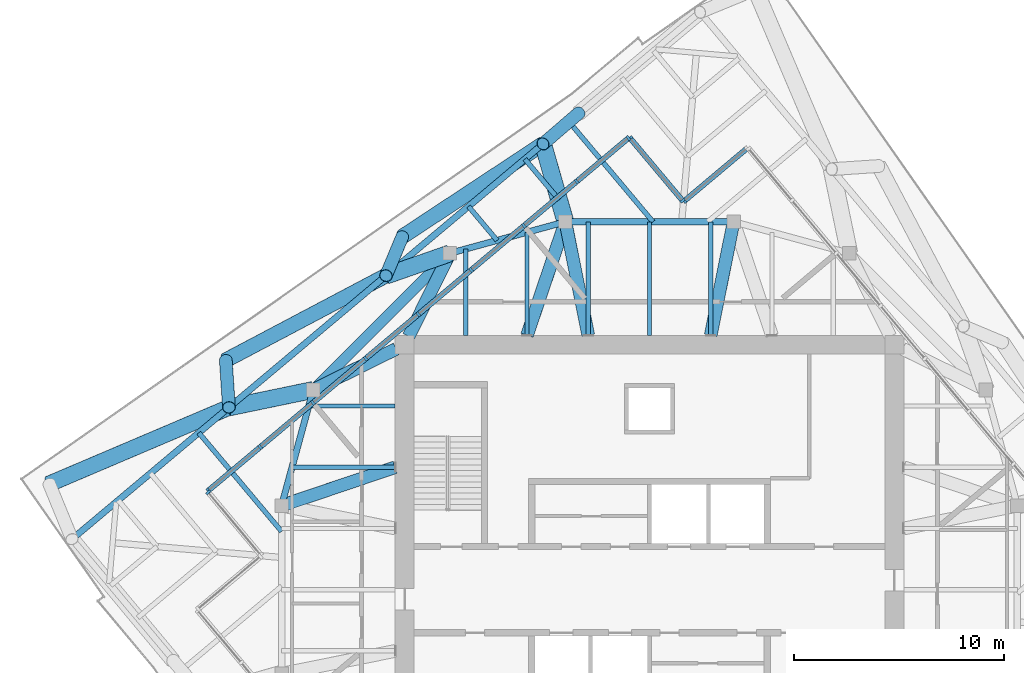
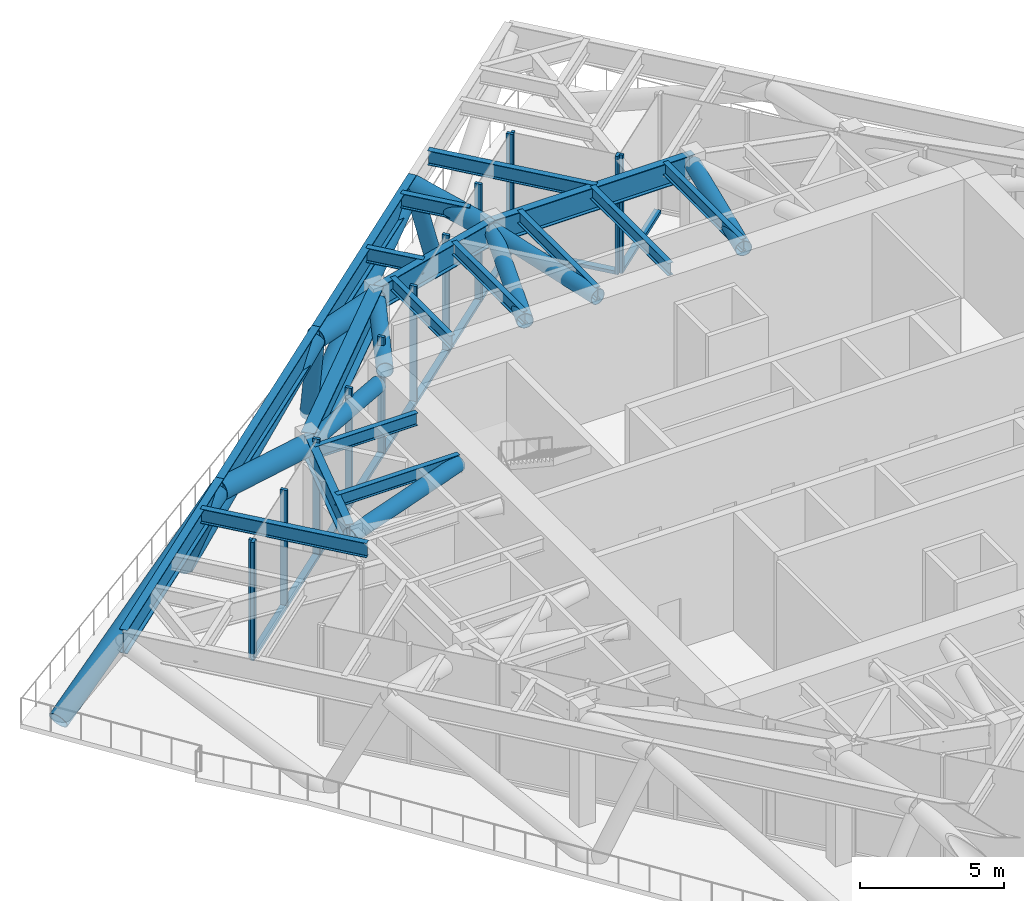
# One storey, part 4 of 15: 38 members, 18 beams, 4 elements without a shape of their own.
"""IFC4 building model written with IfcOpenShell, lengths in metres."""

from ifc_helpers import new_model, si_unit, direction, frame, origin, origin_2d, place, context, subcontext, project, spatial, rectangle, hollow_circle, i_section, extrude, material, material_profile, profile_set, type_object, element, aggregate, save


model = new_model("IFC4")

# Units and contexts
model_context = context("Model", 3, precision=1e-05, world=origin(), true_north=direction((0.0, 1.0)))
body_context = subcontext(model_context, "Body", "Model", "MODEL_VIEW")
ifc_project = project(units=[si_unit("LENGTHUNIT", "METRE"), si_unit("AREAUNIT", "SQUARE_METRE"), si_unit("VOLUMEUNIT", "CUBIC_METRE"), si_unit("PLANEANGLEUNIT", "RADIAN"), si_unit("MASSUNIT", "GRAM", prefix="KILO")], contexts=[model_context])

# Site, building, storey
site_placement = place(None, origin())
site = spatial("IfcSite", under=ifc_project, at=site_placement, CompositionType="ELEMENT")
building_placement = place(site_placement, origin())
building = spatial("IfcBuilding", under=site, at=building_placement, Name="Torsade Residences", CompositionType="ELEMENT")
storey_placement = place(building_placement, frame((0.0, 0.0, 267.60009765625)))
storey = spatial("IfcBuildingStorey", under=building, at=storey_placement, Name="L74", CompositionType="ELEMENT", Elevation=267.60009765625)

# Curtain wall, member
ifc_material_1 = material(Name="Aluminium and glass", Category="aluminium")
curtain_wall_type = type_object("IfcCurtainWallType", Name="TRANSFER LEVEL CURTAIN WALL HIGH ZONE", PredefinedType="NOTDEFINED", material=ifc_material_1)
curtain_wall_1_placement = place(storey_placement, origin())
curtain_wall_1 = element("IfcCurtainWall", 1, at=curtain_wall_1_placement, inside=storey, type_object=curtain_wall_type, Name="Curtain wall L74 face 5", PredefinedType="NOTDEFINED")
ifc_material_2 = material(Name="Aluminium mullion", Category="aluminium")
ifc_material_profile_1 = material_profile(ifc_material_2, rectangle(XDim=0.25, YDim=0.1201171875, at=origin_2d()), Name="HIGH ZONE TRANSFER CURTAIN WALL MULLION 250x120")
ifc_profile_set_1 = profile_set([ifc_material_profile_1], Name="Aluminium mullion")
member_type_1 = type_object("IfcMemberType", Name="HIGH ZONE TRANSFER CURTAIN WALL MULLION 250x120", PredefinedType="MULLION", material=ifc_profile_set_1)
member_1_placement = place(storey_placement, frame((41.66064453125, 48.494384765625, 0.0), z_axis=(0.0, 0.0, 1.0), x_axis=(0.642787640411, -0.766044417338, 0.0)))
member_1 = element("IfcMember", 2, at=member_1_placement, type_object=member_type_1, Name="Mullion 2", PredefinedType="MULLION", context=body_context, shape_type="SweptSolid", body=[
    extrude(rectangle(XDim=0.25, YDim=0.1201171875, at=origin_2d()), origin(), (0.0, 0.0, 1.0), 5.0),
])

# Curtain wall, members
curtain_wall_2_placement = place(storey_placement, origin())
curtain_wall_2 = element("IfcCurtainWall", 3, at=curtain_wall_2_placement, inside=storey, type_object=curtain_wall_type, Name="Curtain wall L74 face 6", PredefinedType="NOTDEFINED")
member_2_placement = place(storey_placement, frame((41.576171875, 48.501708984375, 0.0), z_axis=(0.0, 0.0, 1.0), x_axis=(-0.766044397526, -0.642787664022, 0.0)))
member_2 = element("IfcMember", 4, at=member_2_placement, type_object=member_type_1, Name="Mullion 1", PredefinedType="MULLION", context=body_context, shape_type="SweptSolid", body=[
    extrude(rectangle(XDim=0.25, YDim=0.1201171875, at=origin_2d()), origin(), (0.0, 0.0, 1.0), 5.0),
])
member_3_placement = place(storey_placement, frame((39.08203125, 51.473876953125, 0.0), z_axis=(0.0, 0.0, 1.0), x_axis=(-0.766044397526, -0.642787664022, 0.0)))
member_3 = element("IfcMember", 5, at=member_3_placement, type_object=member_type_1, Name="Mullion 2", PredefinedType="MULLION", context=body_context, shape_type="SweptSolid", body=[
    extrude(rectangle(XDim=0.25, YDim=0.1201171875, at=origin_2d()), origin(), (0.0, 0.0, 1.0), 5.0),
])

curtain_wall_3_placement = place(storey_placement, origin())
curtain_wall_3 = element("IfcCurtainWall", 6, at=curtain_wall_3_placement, inside=storey, type_object=curtain_wall_type, Name="Curtain wall L74 face 7", PredefinedType="NOTDEFINED")
member_4_placement = place(storey_placement, frame((38.99755859375, 51.481201171875, 0.0), z_axis=(0.0, 0.0, 1.0), x_axis=(0.642787631413, -0.766044424888, 0.0)))
member_4 = element("IfcMember", 7, at=member_4_placement, type_object=member_type_1, Name="Mullion 1", PredefinedType="MULLION", context=body_context, shape_type="SweptSolid", body=[
    extrude(rectangle(XDim=0.25, YDim=0.1201171875, at=origin_2d()), origin(), (0.0, 0.0, 1.0), 5.0),
])
member_5_placement = place(storey_placement, frame((36.53466796875, 49.414794921875, 0.0), z_axis=(0.0, 0.0, 1.0), x_axis=(0.642787631413, -0.766044424888, 0.0)))
member_5 = element("IfcMember", 8, at=member_5_placement, type_object=member_type_1, Name="Mullion 2", PredefinedType="MULLION", context=body_context, shape_type="SweptSolid", body=[
    extrude(rectangle(XDim=0.25, YDim=0.1201171875, at=origin_2d()), origin(), (0.0, 0.0, 1.0), 5.0),
])
member_6_placement = place(storey_placement, frame((34.02587890625, 47.3095703125, 0.0), z_axis=(0.0, 0.0, 1.0), x_axis=(0.642787631413, -0.766044424888, 0.0)))
member_6 = element("IfcMember", 9, at=member_6_placement, type_object=member_type_1, Name="Mullion 3", PredefinedType="MULLION", context=body_context, shape_type="SweptSolid", body=[
    extrude(rectangle(XDim=0.25, YDim=0.1201171875, at=origin_2d()), origin(), (0.0, 0.0, 1.0), 5.0),
])
member_7_placement = place(storey_placement, frame((31.51708984375, 45.20458984375, 0.0), z_axis=(0.0, 0.0, 1.0), x_axis=(0.642787631413, -0.766044424888, 0.0)))
member_7 = element("IfcMember", 10, at=member_7_placement, type_object=member_type_1, Name="Mullion 4", PredefinedType="MULLION", context=body_context, shape_type="SweptSolid", body=[
    extrude(rectangle(XDim=0.25, YDim=0.1201171875, at=origin_2d()), origin(), (0.0, 0.0, 1.0), 5.0),
])
member_8_placement = place(storey_placement, frame((29.00830078125, 43.099365234375, 0.0), z_axis=(0.0, 0.0, 1.0), x_axis=(0.642787631413, -0.766044424888, 0.0)))
member_8 = element("IfcMember", 11, at=member_8_placement, type_object=member_type_1, Name="Mullion 5", PredefinedType="MULLION", context=body_context, shape_type="SweptSolid", body=[
    extrude(rectangle(XDim=0.25, YDim=0.1201171875, at=origin_2d()), origin(), (0.0, 0.0, 1.0), 5.0),
])
member_9_placement = place(storey_placement, frame((26.49951171875, 40.994140625, 0.0), z_axis=(0.0, 0.0, 1.0), x_axis=(0.642787631413, -0.766044424888, 0.0)))
member_9 = element("IfcMember", 12, at=member_9_placement, type_object=member_type_1, Name="Mullion 6", PredefinedType="MULLION", context=body_context, shape_type="SweptSolid", body=[
    extrude(rectangle(XDim=0.25, YDim=0.1201171875, at=origin_2d()), origin(), (0.0, 0.0, 1.0), 5.0),
])
member_10_placement = place(storey_placement, frame((23.99072265625, 38.88916015625, 0.0), z_axis=(0.0, 0.0, 1.0), x_axis=(0.642787631413, -0.766044424888, 0.0)))
member_10 = element("IfcMember", 13, at=member_10_placement, type_object=member_type_1, Name="Mullion 7", PredefinedType="MULLION", context=body_context, shape_type="SweptSolid", body=[
    extrude(rectangle(XDim=0.25, YDim=0.1201171875, at=origin_2d()), origin(), (0.0, 0.0, 1.0), 5.0),
])
member_11_placement = place(storey_placement, frame((21.48193359375, 36.783935546875, 0.0), z_axis=(0.0, 0.0, 1.0), x_axis=(0.642787631413, -0.766044424888, 0.0)))
member_11 = element("IfcMember", 14, at=member_11_placement, type_object=member_type_1, Name="Mullion 8", PredefinedType="MULLION", context=body_context, shape_type="SweptSolid", body=[
    extrude(rectangle(XDim=0.25, YDim=0.1201171875, at=origin_2d()), origin(), (0.0, 0.0, 1.0), 5.0),
])
member_12_placement = place(storey_placement, frame((19.01904296875, 34.717529296875, 0.0), z_axis=(0.0, 0.0, 1.0), x_axis=(0.642787631413, -0.766044424888, 0.0)))
member_12 = element("IfcMember", 15, at=member_12_placement, type_object=member_type_1, Name="Mullion 9", PredefinedType="MULLION", context=body_context, shape_type="SweptSolid", body=[
    extrude(rectangle(XDim=0.25, YDim=0.1201171875, at=origin_2d()), origin(), (0.0, 0.0, 1.0), 5.0),
])

# Curtain wall, member
curtain_wall_4_placement = place(storey_placement, origin())
curtain_wall_4 = element("IfcCurtainWall", 16, at=curtain_wall_4_placement, inside=storey, type_object=curtain_wall_type, Name="Curtain wall L74 face 8", PredefinedType="NOTDEFINED")
member_13_placement = place(storey_placement, frame((19.01171875, 34.6328125, 0.0), z_axis=(0.0, 0.0, 1.0), x_axis=(0.766044417338, 0.642787640411, 0.0)))
member_13 = element("IfcMember", 17, at=member_13_placement, type_object=member_type_1, Name="Mullion 1", PredefinedType="MULLION", context=body_context, shape_type="SweptSolid", body=[
    extrude(rectangle(XDim=0.25, YDim=0.1201171875, at=origin_2d()), origin(), (0.0, 0.0, 1.0), 5.0),
])
aggregate(curtain_wall_4, [member_13])

# Member
ifc_material_3 = material(Name="Aluminium transom", Category="aluminium")
ifc_material_profile_2 = material_profile(ifc_material_3, rectangle(XDim=0.25, YDim=0.139892578125, at=origin_2d()), Name="HIGH ZONE TRANSFER CURTAIN WALL TRANSOM 250x140")
ifc_profile_set_2 = profile_set([ifc_material_profile_2], Name="Aluminium transom")
member_type_2 = type_object("IfcMemberType", Name="HIGH ZONE TRANSFER CURTAIN WALL TRANSOM 250x140", PredefinedType="USERDEFINED", material=ifc_profile_set_2)
member_14_placement = place(storey_placement, frame((44.5869140625, 50.94970703125, 0.06982421875), z_axis=(-0.766034770044, -0.642799137433, 0.0), x_axis=(0.642799137433, -0.766034770044, 0.0)))
member_14 = element("IfcMember", 18, at=member_14_placement, type_object=member_type_2, Name="Transom 1.1", ObjectType="TRANSOM", PredefinedType="USERDEFINED", context=body_context, shape_type="SweptSolid", body=[
    extrude(rectangle(XDim=0.25, YDim=0.139892578125, at=origin_2d()), origin(), (0.0, 0.0, 1.0), 3.760009765625),
])

aggregate(curtain_wall_1, [member_1, member_14])

member_15_placement = place(storey_placement, frame((41.53759765625, 48.547607421875, 0.06982421875), z_axis=(-0.642799137433, 0.766034770044, 0.0), x_axis=(-0.766034770044, -0.642799137433, 0.0)))
member_15 = element("IfcMember", 19, at=member_15_placement, type_object=member_type_2, Name="Transom 1.1", ObjectType="TRANSOM", PredefinedType="USERDEFINED", context=body_context, shape_type="SweptSolid", body=[
    extrude(rectangle(XDim=0.25, YDim=0.139892578125, at=origin_2d()), origin(), (0.0, 0.0, 1.0), 3.760009765625),
])

aggregate(curtain_wall_2, [member_2, member_3, member_15])

member_16_placement = place(storey_placement, frame((38.95166015625, 51.442626953125, 0.06982421875), z_axis=(-0.766096318051, -0.642725782483, 0.0), x_axis=(0.642725782483, -0.766096318051, 0.0)))
member_16 = element("IfcMember", 20, at=member_16_placement, type_object=member_type_2, Name="Transom 1.1", ObjectType="TRANSOM", PredefinedType="USERDEFINED", context=body_context, shape_type="SweptSolid", body=[
    extrude(rectangle(XDim=0.25, YDim=0.139892578125, at=origin_2d()), origin(), (0.0, 0.0, 1.0), 3.094970703125),
])

member_17_placement = place(storey_placement, frame((36.48876953125, 49.376220703125, 0.06982421875), z_axis=(-0.766047733122, -0.642783688793, 0.0), x_axis=(0.642783688793, -0.766047733122, 0.0)))
member_17 = element("IfcMember", 21, at=member_17_placement, type_object=member_type_2, Name="Transom 2.1", ObjectType="TRANSOM", PredefinedType="USERDEFINED", context=body_context, shape_type="SweptSolid", body=[
    extrude(rectangle(XDim=0.25, YDim=0.139892578125, at=origin_2d()), origin(), (0.0, 0.0, 1.0), 3.155029296875),
])

member_18_placement = place(storey_placement, frame((33.97998046875, 47.27099609375, 0.06982421875), z_axis=(-0.766085835105, -0.642738277412, 0.0), x_axis=(0.642738277412, -0.766085835105, 0.0)))
member_18 = element("IfcMember", 22, at=member_18_placement, type_object=member_type_2, Name="Transom 3.1", ObjectType="TRANSOM", PredefinedType="USERDEFINED", context=body_context, shape_type="SweptSolid", body=[
    extrude(rectangle(XDim=0.25, YDim=0.139892578125, at=origin_2d()), origin(), (0.0, 0.0, 1.0), 3.155029296875),
])

member_19_placement = place(storey_placement, frame((31.47119140625, 45.166015625, 0.06982421875), z_axis=(-0.766047733122, -0.642783688793, 0.0), x_axis=(0.642783688793, -0.766047733122, 0.0)))
member_19 = element("IfcMember", 23, at=member_19_placement, type_object=member_type_2, Name="Transom 4.1", ObjectType="TRANSOM", PredefinedType="USERDEFINED", context=body_context, shape_type="SweptSolid", body=[
    extrude(rectangle(XDim=0.25, YDim=0.139892578125, at=origin_2d()), origin(), (0.0, 0.0, 1.0), 3.155029296875),
])

member_20_placement = place(storey_placement, frame((28.96240234375, 43.060791015625, 0.06982421875), z_axis=(-0.766047733122, -0.642783688793, 0.0), x_axis=(0.642783688793, -0.766047733122, 0.0)))
member_20 = element("IfcMember", 24, at=member_20_placement, type_object=member_type_2, Name="Transom 5.1", ObjectType="TRANSOM", PredefinedType="USERDEFINED", context=body_context, shape_type="SweptSolid", body=[
    extrude(rectangle(XDim=0.25, YDim=0.139892578125, at=origin_2d()), origin(), (0.0, 0.0, 1.0), 3.155029296875),
])

member_21_placement = place(storey_placement, frame((26.45361328125, 40.95556640625, 0.06982421875), z_axis=(-0.766085835105, -0.642738277412, 0.0), x_axis=(0.642738277412, -0.766085835105, 0.0)))
member_21 = element("IfcMember", 25, at=member_21_placement, type_object=member_type_2, Name="Transom 6.1", ObjectType="TRANSOM", PredefinedType="USERDEFINED", context=body_context, shape_type="SweptSolid", body=[
    extrude(rectangle(XDim=0.25, YDim=0.139892578125, at=origin_2d()), origin(), (0.0, 0.0, 1.0), 3.155029296875),
])

member_22_placement = place(storey_placement, frame((23.94482421875, 38.8505859375, 0.06982421875), z_axis=(-0.766047733122, -0.642783688793, 0.0), x_axis=(0.642783688793, -0.766047733122, 0.0)))
member_22 = element("IfcMember", 26, at=member_22_placement, type_object=member_type_2, Name="Transom 7.1", ObjectType="TRANSOM", PredefinedType="USERDEFINED", context=body_context, shape_type="SweptSolid", body=[
    extrude(rectangle(XDim=0.25, YDim=0.139892578125, at=origin_2d()), origin(), (0.0, 0.0, 1.0), 3.155029296875),
])

member_23_placement = place(storey_placement, frame((21.43603515625, 36.745361328125, 0.06982421875), z_axis=(-0.766024886585, -0.642810915537, 0.0), x_axis=(0.642810915537, -0.766024886585, 0.0)))
member_23 = element("IfcMember", 27, at=member_23_placement, type_object=member_type_2, Name="Transom 8.1", ObjectType="TRANSOM", PredefinedType="USERDEFINED", context=body_context, shape_type="SweptSolid", body=[
    extrude(rectangle(XDim=0.25, YDim=0.139892578125, at=origin_2d()), origin(), (0.0, 0.0, 1.0), 3.094970703125),
])

aggregate(curtain_wall_3, [member_4, member_5, member_6, member_7, member_8, member_9, member_10, member_11, member_12, member_16, member_17, member_18, member_19, member_20, member_21, member_22, member_23])

# Beams
ifc_material_4 = material(Name="Steel grade 300", Category="steel")
ifc_material_profile_3 = material_profile(ifc_material_4, i_section(OverallWidth=0.208984375, OverallDepth=0.528076171875, WebThickness=0.009521484375, FlangeThickness=0.01318359375, FilletRadius=0.013916015625, at=origin_2d()), Name="530UB82.0")
ifc_profile_set_3 = profile_set([ifc_material_profile_3], Name="Steel grade 300")
beam_type_1 = type_object("IfcBeamType", Name="INNER FLOOR BEAM 530UB82.0", PredefinedType="JOIST", material=ifc_profile_set_3)
beam_1_placement = place(storey_placement, frame((31.262451171875, 42.10009765625, 4.5859375), z_axis=(0.0, 1.0, 0.0), x_axis=(-1.0, 0.0, 0.0)))
element("IfcBeam", 28, at=beam_1_placement, inside=storey, type_object=beam_type_1, Name="Inner floor beam IN01 L75", PredefinedType="JOIST", context=body_context, shape_type="SweptSolid", body=[
    extrude(i_section(OverallWidth=0.208984375, OverallDepth=0.528076171875, WebThickness=0.009521484375, FlangeThickness=0.01318359375, FilletRadius=0.013916015625, at=origin_2d()), origin(), (0.0, 0.0, 1.0), 4.10791015625),
])
beam_2_placement = place(storey_placement, frame((34.175048828125, 42.10009765625, 4.5859375), z_axis=(0.0, 1.0, 0.0), x_axis=(-1.0, 0.0, 0.0)))
element("IfcBeam", 29, at=beam_2_placement, inside=storey, type_object=beam_type_1, Name="Inner floor beam IN02 L75", PredefinedType="JOIST", context=body_context, shape_type="SweptSolid", body=[
    extrude(i_section(OverallWidth=0.208984375, OverallDepth=0.528076171875, WebThickness=0.009521484375, FlangeThickness=0.01318359375, FilletRadius=0.013916015625, at=origin_2d()), origin(), (0.0, 0.0, 1.0), 4.902099609375),
])
for number, where, z_axis, x_axis, name in (
    (30, (37.08740234375, 42.10009765625, 4.5859375), (0.0, 1.0, 0.0), (-1.0, 0.0, 0.0), "Inner floor beam IN03 L75"),
    (31, (40.0, 42.10009765625, 4.5859375), (0.0, 1.0, 0.0), (-1.0, 0.0, 0.0), "Inner floor beam IN04 L75"),
    (32, (42.91259765625, 42.10009765625, 4.5859375), (0.0, 1.0, 0.0), (-1.0, 0.0, 0.0), "Inner floor beam IN05 L75"),
):
    element("IfcBeam", number, at=place(storey_placement, frame(where, z_axis=z_axis, x_axis=x_axis)), inside=storey, type_object=beam_type_1, Name=name, PredefinedType="JOIST", context=body_context, shape_type="SweptSolid", body=[
        extrude(i_section(OverallWidth=0.208984375, OverallDepth=0.528076171875, WebThickness=0.009521484375, FlangeThickness=0.01318359375, FilletRadius=0.013916015625, at=origin_2d()), origin(), (0.0, 0.0, 1.0), 5.39990234375),
    ])
beam_3_placement = place(storey_placement, frame((27.89990234375, 38.737548828125, 4.5859375), z_axis=(-1.0, 0.0, 0.0), x_axis=(0.0, -1.0, 0.0)))
element("IfcBeam", 33, at=beam_3_placement, inside=storey, type_object=beam_type_1, Name="Inner floor beam IW01 L75", PredefinedType="JOIST", context=body_context, shape_type="SweptSolid", body=[
    extrude(i_section(OverallWidth=0.208984375, OverallDepth=0.528076171875, WebThickness=0.009521484375, FlangeThickness=0.01318359375, FilletRadius=0.013916015625, at=origin_2d()), origin(), (0.0, 0.0, 1.0), 4.10791015625),
])
beam_4_placement = place(storey_placement, frame((27.89990234375, 35.824951171875, 4.5859375), z_axis=(-1.0, 0.0, 0.0), x_axis=(0.0, -1.0, 0.0)))
element("IfcBeam", 34, at=beam_4_placement, inside=storey, type_object=beam_type_1, Name="Inner floor beam IW02 L75", PredefinedType="JOIST", context=body_context, shape_type="SweptSolid", body=[
    extrude(i_section(OverallWidth=0.208984375, OverallDepth=0.528076171875, WebThickness=0.009521484375, FlangeThickness=0.01318359375, FilletRadius=0.013916015625, at=origin_2d()), origin(), (0.0, 0.0, 1.0), 4.902099609375),
])
ifc_material_5 = material(Name="Steel grade 300", Category="steel")
ifc_material_profile_4 = material_profile(ifc_material_5, i_section(OverallWidth=0.5, OverallDepth=1.199951171875, WebThickness=0.01611328125, FlangeThickness=0.0400390625, at=origin_2d()), Name="1200WB455")
ifc_profile_set_4 = profile_set([ifc_material_profile_4], Name="Steel grade 300")
beam_type_2 = type_object("IfcBeamType", Name="RING CORNER GIRDER 1200WB455", PredefinedType="BEAM", material=ifc_profile_set_4)
beam_5_placement = place(storey_placement, frame((30.5, 46.0, 4.25), z_axis=(-0.707106781187, -0.707106781187, 0.0), x_axis=(0.707106781187, -0.707106781187, 0.0)))
element("IfcBeam", 35, at=beam_5_placement, inside=storey, type_object=beam_type_2, Name="Ring girder IR07 L75", PredefinedType="BEAM", context=body_context, shape_type="SweptSolid", body=[
    extrude(i_section(OverallWidth=0.5, OverallDepth=1.199951171875, WebThickness=0.01611328125, FlangeThickness=0.0400390625, at=origin_2d()), origin(), (0.0, 0.0, 1.0), 9.1923828125),
])
ifc_material_6 = material(Name="Steel grade 300", Category="steel")
ifc_material_profile_5 = material_profile(ifc_material_6, i_section(OverallWidth=0.300048828125, OverallDepth=1.0, WebThickness=0.01611328125, FlangeThickness=0.028076171875, at=origin_2d()), Name="1000WB215")
ifc_profile_set_5 = profile_set([ifc_material_profile_5], Name="Steel grade 300")
beam_type_3 = type_object("IfcBeamType", Name="RING GIRDER 1000WB215", PredefinedType="BEAM", material=ifc_profile_set_5)
beam_6_placement = place(storey_placement, frame((44.0, 47.5, 4.349853515625), z_axis=(-1.0, 0.0, 0.0), x_axis=(0.0, -1.0, 0.0)))
element("IfcBeam", 36, at=beam_6_placement, inside=storey, type_object=beam_type_3, Name="Ring girder IR05 L75", PredefinedType="BEAM", context=body_context, shape_type="SweptSolid", body=[
    extrude(i_section(OverallWidth=0.300048828125, OverallDepth=1.0, WebThickness=0.01611328125, FlangeThickness=0.028076171875, at=origin_2d()), origin(), (0.0, 0.0, 1.0), 8.0),
])
for number, where, z_axis, x_axis, name in (
    (37, (36.0, 47.5, 4.349853515625), (-0.964763821238, -0.263117405792, 0.0), (0.263117405792, -0.964763821238, 0.0), "Ring girder IR06 L75"),
    (38, (24.0, 39.5, 4.349853515625), (-0.263117405792, -0.964763821238, 0.0), (0.964763821238, -0.263117405792, 0.0), "Ring girder IR08 L75"),
):
    element("IfcBeam", number, at=place(storey_placement, frame(where, z_axis=z_axis, x_axis=x_axis)), inside=storey, type_object=beam_type_3, Name=name, PredefinedType="BEAM", context=body_context, shape_type="SweptSolid", body=[
        extrude(i_section(OverallWidth=0.300048828125, OverallDepth=1.0, WebThickness=0.01611328125, FlangeThickness=0.028076171875, at=origin_2d()), origin(), (0.0, 0.0, 1.0), 5.700927734375),
    ])
ifc_material_7 = material(Name="Steel grade 300", Category="steel")
ifc_material_profile_6 = material_profile(ifc_material_7, i_section(OverallWidth=0.22900390625, OverallDepth=0.612060546875, WebThickness=0.011962890625, FlangeThickness=0.01953125, FilletRadius=0.013916015625, at=origin_2d()), Name="610UB125")
ifc_profile_set_6 = profile_set([ifc_material_profile_6], Name="Steel grade 300")
beam_type_4 = type_object("IfcBeamType", Name="SECONDARY BEAM 610UB125", PredefinedType="JOIST", material=ifc_profile_set_6)
beam_7_placement = place(storey_placement, frame((36.179443359375, 52.24951171875, 4.5439453125), z_axis=(0.642791209238, -0.766041422722, 0.0), x_axis=(0.766041422722, 0.642791209238, 0.0)))
element("IfcBeam", 39, at=beam_7_placement, inside=storey, type_object=beam_type_4, Name="Floor beam FN03 L75", PredefinedType="JOIST", context=body_context, shape_type="SweptSolid", body=[
    extrude(i_section(OverallWidth=0.22900390625, OverallDepth=0.612060546875, WebThickness=0.011962890625, FlangeThickness=0.01953125, FilletRadius=0.013916015625, at=origin_2d()), origin(), (0.0, 0.0, 1.0), 6.199951171875),
])
beam_8_placement = place(storey_placement, frame((34.07275390625, 50.48193359375, 4.5439453125), z_axis=(0.642751024148, -0.766075140542, 0.0), x_axis=(0.766075140542, 0.642751024148, 0.0)))
element("IfcBeam", 40, at=beam_8_placement, inside=storey, type_object=beam_type_4, Name="Floor beam FN04 L75", PredefinedType="JOIST", context=body_context, shape_type="SweptSolid", body=[
    extrude(i_section(OverallWidth=0.22900390625, OverallDepth=0.612060546875, WebThickness=0.011962890625, FlangeThickness=0.01953125, FilletRadius=0.013916015625, at=origin_2d()), origin(), (0.0, 0.0, 1.0), 2.531982421875),
])
beam_9_placement = place(storey_placement, frame((31.3916015625, 48.232177734375, 4.5439453125), z_axis=(0.642771977004, -0.766057560226, 0.0), x_axis=(0.766057560226, 0.642771977004, 0.0)))
element("IfcBeam", 41, at=beam_9_placement, inside=storey, type_object=beam_type_4, Name="Floor beam FN05 L75", PredefinedType="JOIST", context=body_context, shape_type="SweptSolid", body=[
    extrude(i_section(OverallWidth=0.22900390625, OverallDepth=0.612060546875, WebThickness=0.011962890625, FlangeThickness=0.01953125, FilletRadius=0.013916015625, at=origin_2d()), origin(), (0.0, 0.0, 1.0), 2.113037109375),
])
beam_10_placement = place(storey_placement, frame((18.560302734375, 37.465576171875, 4.5439453125), z_axis=(0.642794037701, -0.766039049329, 0.0), x_axis=(0.766039049329, 0.642794037701, 0.0)))
element("IfcBeam", 42, at=beam_10_placement, inside=storey, type_object=beam_type_4, Name="Floor beam FN10 L75", PredefinedType="JOIST", context=body_context, shape_type="SweptSolid", body=[
    extrude(i_section(OverallWidth=0.22900390625, OverallDepth=0.612060546875, WebThickness=0.011962890625, FlangeThickness=0.01953125, FilletRadius=0.013916015625, at=origin_2d()), origin(), (0.0, 0.0, 1.0), 6.12890625),
])

# Members
ifc_material_8 = material(Name="Steel grade 450", Category="steel")
ifc_material_profile_7 = material_profile(ifc_material_8, hollow_circle(Radius=0.304931640625, WallThickness=0.01611328125, at=origin_2d()), Name="610.0x16.0CHS")
ifc_profile_set_7 = profile_set([ifc_material_profile_7], Name="Steel grade 450")
member_type_3 = type_object("IfcMemberType", Name="TRANSFER FLOOR BRACE 610.0x16.0CHS", PredefinedType="BRACE", material=ifc_profile_set_7)
for number, where, z_axis, x_axis, name in (
    (43, (44.0, 47.5, 4.349853515625), (-0.197387517864, -0.980201418973, 0.015599552377), (0.980320704809, -0.197411538983, 0.0), "Transfer floor brace TT8 top IR05IN05"),
    (44, (36.0, 47.5, 4.349853515625), (0.197387517864, -0.980201418973, 0.015599552377), (0.980320704809, 0.197411538983, 0.0), "Transfer floor brace TT8 top IR06IN03"),
):
    element("IfcMember", number, at=place(storey_placement, frame(where, z_axis=z_axis, x_axis=x_axis)), inside=storey, type_object=member_type_3, Name=name, PredefinedType="BRACE", context=body_context, shape_type="SweptSolid", body=[
        extrude(hollow_circle(Radius=0.304931640625, WallThickness=0.01611328125, at=origin_2d()), origin(), (0.0, 0.0, 1.0), 5.509033203125),
    ])
member_24_placement = place(storey_placement, frame((36.0, 47.5, 4.349853515625), z_axis=(-0.320133484365, -0.947252495944, 0.01507518214), x_axis=(0.947360151124, -0.320169867513, 0.0)))
element("IfcMember", 45, at=member_24_placement, inside=storey, type_object=member_type_3, Name="Transfer floor brace TT8 top IR06IN02", PredefinedType="BRACE", context=body_context, shape_type="SweptSolid", body=[
    extrude(hollow_circle(Radius=0.304931640625, WallThickness=0.01611328125, at=origin_2d()), origin(), (0.0, 0.0, 1.0), 5.70068359375),
])
for number, where, z_axis, x_axis, name in (
    (46, (30.5, 46.0, 4.349853515625), (-0.443105036702, -0.896469701914, 0.0), (0.896469701914, -0.443105036702, 0.0), "Transfer floor brace TT8 top IR07C"),
    (47, (24.0, 39.5, 4.349853515625), (0.896469701914, 0.443105036702, 0.0), (-0.443105036702, 0.896469701914, 0.0), "Transfer floor brace TT8 top IR08C"),
):
    element("IfcMember", number, at=place(storey_placement, frame(where, z_axis=z_axis, x_axis=x_axis)), inside=storey, type_object=member_type_3, Name=name, PredefinedType="BRACE", context=body_context, shape_type="SweptSolid", body=[
        extrude(hollow_circle(Radius=0.304931640625, WallThickness=0.01611328125, at=origin_2d()), origin(), (0.0, 0.0, 1.0), 4.40234375),
    ])
member_25_placement = place(storey_placement, frame((22.5, 34.0, 4.349853515625), z_axis=(0.947252495944, 0.320133484365, 0.01507518214), x_axis=(-0.320169867513, 0.947360151124, 0.0)))
element("IfcMember", 48, at=member_25_placement, inside=storey, type_object=member_type_3, Name="Transfer floor brace TT8 top IR09IW02", PredefinedType="BRACE", context=body_context, shape_type="SweptSolid", body=[
    extrude(hollow_circle(Radius=0.304931640625, WallThickness=0.01611328125, at=origin_2d()), origin(), (0.0, 0.0, 1.0), 5.70068359375),
])
ifc_material_9 = material(Name="Steel grade 450", Category="steel")
ifc_material_profile_8 = material_profile(ifc_material_9, hollow_circle(Radius=0.406494140625, WallThickness=0.02490234375, at=origin_2d()), Name="813.0x25.0CHS")
ifc_profile_set_8 = profile_set([ifc_material_profile_8], Name="Steel grade 450")
member_type_4 = type_object("IfcMemberType", Name="TRANSFER FLOOR STRUT 813.0x25.0CHS", PredefinedType="STRUT", material=ifc_profile_set_8)
member_26_placement = place(storey_placement, frame((34.9345703125, 51.205078125, 4.349853515625), z_axis=(0.276360067688, -0.961054167561, 0.0), x_axis=(0.961054167561, 0.276360067688, 0.0)))
element("IfcMember", 49, at=member_26_placement, inside=storey, type_object=member_type_4, Name="Transfer floor strut TT8 top 10IR06", PredefinedType="STRUT", context=body_context, shape_type="SweptSolid", body=[
    extrude(hollow_circle(Radius=0.406494140625, WallThickness=0.02490234375, at=origin_2d()), origin(), (0.0, 0.0, 1.0), 3.855224609375),
])
member_27_placement = place(storey_placement, frame((27.465576171875, 44.93798828125, 4.349853515625), z_axis=(0.943861908085, 0.330340276786, 0.0), x_axis=(-0.330340276786, 0.943861908085, 0.0)))
element("IfcMember", 50, at=member_27_placement, inside=storey, type_object=member_type_4, Name="Transfer floor strut TT8 top 11IR07", PredefinedType="STRUT", context=body_context, shape_type="SweptSolid", body=[
    extrude(hollow_circle(Radius=0.406494140625, WallThickness=0.02490234375, at=origin_2d()), origin(), (0.0, 0.0, 1.0), 3.21484375),
])
member_28_placement = place(storey_placement, frame((19.996826171875, 38.670654296875, 4.349853515625), z_axis=(0.979206863255, 0.202864287033, 0.0), x_axis=(-0.202864287033, 0.979206863255, 0.0)))
element("IfcMember", 51, at=member_28_placement, inside=storey, type_object=member_type_4, Name="Transfer floor strut TT8 top 12IR08", PredefinedType="STRUT", context=body_context, shape_type="SweptSolid", body=[
    extrude(hollow_circle(Radius=0.406494140625, WallThickness=0.02490234375, at=origin_2d()), origin(), (0.0, 0.0, 1.0), 4.088134765625),
])

# Beams
ifc_material_10 = material(Name="Steel grade 300", Category="steel")
ifc_material_profile_9 = material_profile(ifc_material_10, i_section(OverallWidth=0.300048828125, OverallDepth=1.0, WebThickness=0.01611328125, FlangeThickness=0.028076171875, at=origin_2d()), Name="1000WB215")
ifc_profile_set_9 = profile_set([ifc_material_profile_9], Name="Steel grade 300")
beam_type_5 = type_object("IfcBeamType", Name="TRANSFER TRUSS CHORD 1000WB215", PredefinedType="USERDEFINED", material=ifc_profile_set_9)
for number, where, z_axis, x_axis, name in (
    (52, (34.9345703125, 51.205078125, 4.349853515625), (-0.766051532934, -0.642779160279, 0.0), (0.642779160279, -0.766051532934, 0.0), "Transfer truss TT8 top chord 10"),
    (53, (27.465576171875, 44.93798828125, 4.349853515625), (-0.766028856906, -0.642806184154, 0.0), (0.642806184154, -0.766028856906, 0.0), "Transfer truss TT8 top chord 11"),
    (54, (19.996826171875, 38.670654296875, 4.349853515625), (-0.766051532934, -0.642779160279, 0.0), (0.642779160279, -0.766051532934, 0.0), "Transfer truss TT8 top chord 12"),
):
    element("IfcBeam", number, at=place(storey_placement, frame(where, z_axis=z_axis, x_axis=x_axis)), inside=storey, type_object=beam_type_5, Name=name, ObjectType="TRANSFER TRUSS CHORD", PredefinedType="USERDEFINED", context=body_context, shape_type="SweptSolid", body=[
        extrude(i_section(OverallWidth=0.300048828125, OverallDepth=1.0, WebThickness=0.01611328125, FlangeThickness=0.028076171875, at=origin_2d()), origin(), (0.0, 0.0, 1.0), 9.75),
    ])

# Members
ifc_material_11 = material(Name="Steel grade 450", Category="steel")
ifc_material_profile_10 = material_profile(ifc_material_11, hollow_circle(Radius=0.35546875, WallThickness=0.02001953125, at=origin_2d()), Name="711.0x20.0CHS")
ifc_profile_set_10 = profile_set([ifc_material_profile_10], Name="Steel grade 450")
member_type_5 = type_object("IfcMemberType", Name="TRANSFER TRUSS DIAGONAL 711.0x20.0CHS", PredefinedType="BRACE", material=ifc_profile_set_10)
member_29_placement = place(storey_placement, frame((28.24169921875, 46.792724609375, -0.2001953125), z_axis=(0.726087611725, 0.478681746797, 0.493619859186), x_axis=(-0.550412761868, 0.834892682668, 0.0)))
element("IfcMember", 55, at=member_29_placement, inside=storey, type_object=member_type_5, Name="Transfer truss TT8 diagonal 10", PredefinedType="BRACE", context=body_context, shape_type="SweptSolid", body=[
    extrude(hollow_circle(Radius=0.35546875, WallThickness=0.02001953125, at=origin_2d()), origin(), (0.0, 0.0, 1.0), 9.2177734375),
])
member_30_placement = place(storey_placement, frame((19.845458984375, 40.91357421875, -0.2001953125), z_axis=(0.781951424565, 0.412972167197, 0.466911082264), x_axis=(-0.46700234454, 0.884256077273, 0.0)))
element("IfcMember", 56, at=member_30_placement, inside=storey, type_object=member_type_5, Name="Transfer truss TT8 diagonal 11", PredefinedType="BRACE", context=body_context, shape_type="SweptSolid", body=[
    extrude(hollow_circle(Radius=0.35546875, WallThickness=0.02001953125, at=origin_2d()), origin(), (0.0, 0.0, 1.0), 9.7451171875),
])
ifc_material_12 = material(Name="Steel grade 450", Category="steel")
ifc_material_profile_11 = material_profile(ifc_material_12, hollow_circle(Radius=0.381103515625, WallThickness=0.02197265625, at=origin_2d()), Name="762.0x22.0CHS")
ifc_profile_set_11 = profile_set([ifc_material_profile_11], Name="Steel grade 450")
member_type_6 = type_object("IfcMemberType", Name="TRANSFER TRUSS DIAGONAL 762.0x22.0CHS", PredefinedType="BRACE", material=ifc_profile_set_11)
member_31_placement = place(storey_placement, frame((11.448974609375, 35.0341796875, -0.2001953125), z_axis=(0.82638035213, 0.351563331, 0.439884914391), x_axis=(-0.391472306815, 0.920189889641, 0.0)))
element("IfcMember", 57, at=member_31_placement, inside=storey, type_object=member_type_6, Name="Transfer truss TT8 diagonal 12", PredefinedType="BRACE", context=body_context, shape_type="SweptSolid", body=[
    extrude(hollow_circle(Radius=0.381103515625, WallThickness=0.02197265625, at=origin_2d()), origin(), (0.0, 0.0, 1.0), 10.34375),
])
ifc_material_13 = material(Name="Steel grade 450", Category="steel")
ifc_material_profile_12 = material_profile(ifc_material_13, hollow_circle(Radius=0.304931640625, WallThickness=0.01611328125, at=origin_2d()), Name="610.0x16.0CHS")
ifc_profile_set_12 = profile_set([ifc_material_profile_12], Name="Steel grade 450")
member_type_7 = type_object("IfcMemberType", Name="TRANSFER TRUSS RAKING STRUT 610.0x16.0CHS", PredefinedType="STRUT", material=ifc_profile_set_12)
member_32_placement = place(storey_placement, frame((36.637939453125, 52.671875, -0.2001953125), z_axis=(-0.335637422669, -0.28902245025, 0.896556492228), x_axis=(0.652524867718, -0.757767310597, 0.0)))
element("IfcMember", 58, at=member_32_placement, inside=storey, type_object=member_type_7, Name="Transfer truss TT8 raking strut 10", PredefinedType="STRUT", context=body_context, shape_type="SweptSolid", body=[
    extrude(hollow_circle(Radius=0.304931640625, WallThickness=0.01611328125, at=origin_2d()), origin(), (0.0, 0.0, 1.0), 5.074951171875),
])
member_33_placement = place(storey_placement, frame((28.24169921875, 46.792724609375, -0.2001953125), z_axis=(-0.156021233758, -0.372850994924, 0.914680004264), x_axis=(0.922490267349, -0.38602034486, 0.0)))
element("IfcMember", 59, at=member_33_placement, inside=storey, type_object=member_type_7, Name="Transfer truss TT8 raking strut 11", PredefinedType="STRUT", context=body_context, shape_type="SweptSolid", body=[
    extrude(hollow_circle(Radius=0.304931640625, WallThickness=0.01611328125, at=origin_2d()), origin(), (0.0, 0.0, 1.0), 4.974365234375),
])
member_34_placement = place(storey_placement, frame((19.845458984375, 40.91357421875, -0.2001953125), z_axis=(0.029825513454, -0.441946761454, 0.896545313293), x_axis=(0.997730524185, 0.067333506585, 0.0)))
element("IfcMember", 60, at=member_34_placement, inside=storey, type_object=member_type_7, Name="Transfer truss TT8 raking strut 12", PredefinedType="STRUT", context=body_context, shape_type="SweptSolid", body=[
    extrude(hollow_circle(Radius=0.304931640625, WallThickness=0.01611328125, at=origin_2d()), origin(), (0.0, 0.0, 1.0), 5.0751953125),
])

save(model, "model.ifc")
